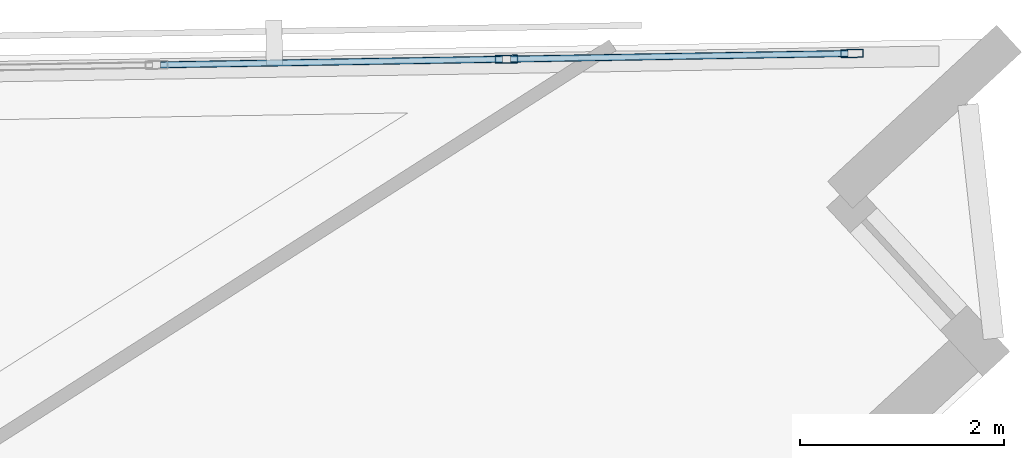
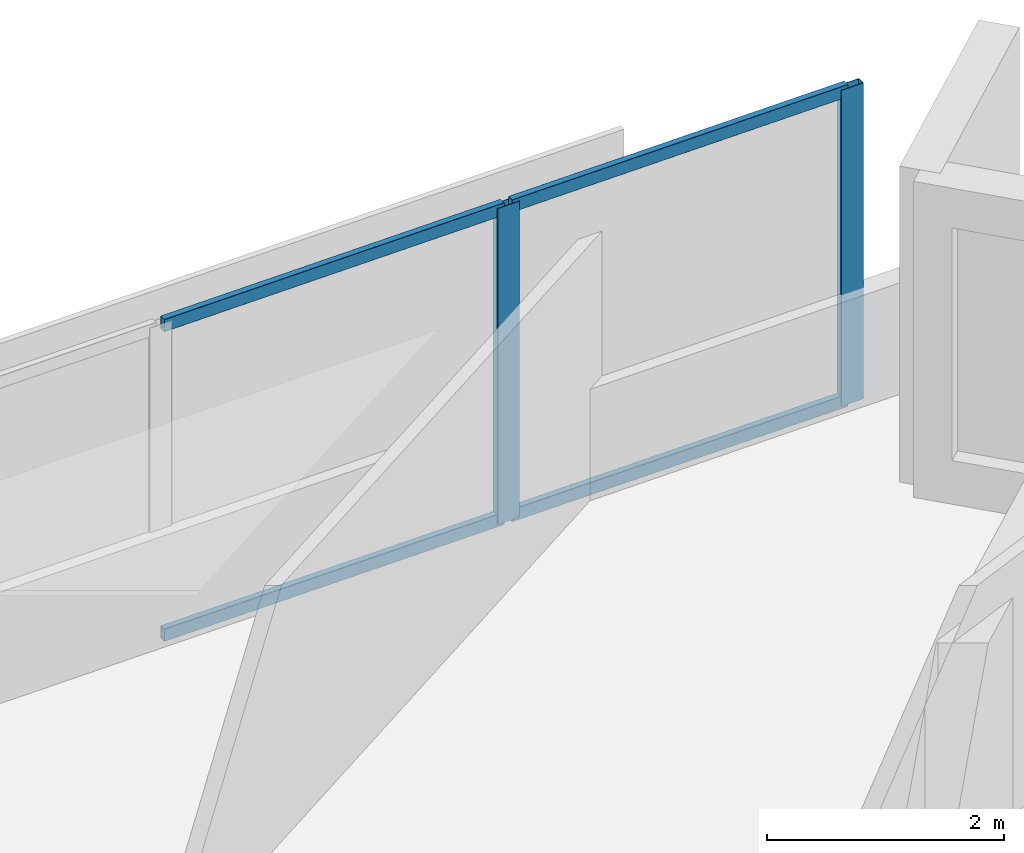
# One storey, part 6 of 13: 6 members, 1 element without a shape of its own.
"""IFC4 building model written with IfcOpenShell, lengths in metres."""

from ifc_helpers import new_model, si_unit, direction, frame, origin, origin_2d, place, context, subcontext, project, spatial, hollow_rectangle, extrude, material, material_profile, profile_set, type_object, element, aggregate, save


model = new_model("IFC4")

# Units and contexts
model_context = context("Model", 3, precision=1e-05, world=origin(), true_north=direction((0.0, 1.0)))
body_context = subcontext(model_context, "Body", "Model", "MODEL_VIEW")
ifc_project = project(units=[si_unit("LENGTHUNIT", "METRE"), si_unit("AREAUNIT", "SQUARE_METRE"), si_unit("VOLUMEUNIT", "CUBIC_METRE"), si_unit("PLANEANGLEUNIT", "RADIAN"), si_unit("MASSUNIT", "GRAM", prefix="KILO")], contexts=[model_context])

# Site, building, storey
site_placement = place(None, origin())
site = spatial("IfcSite", under=ifc_project, at=site_placement, CompositionType="ELEMENT")
building_placement = place(site_placement, origin())
building = spatial("IfcBuilding", under=site, at=building_placement, Name="Narakoshi Arena Tower", CompositionType="ELEMENT")
storey_placement = place(building_placement, frame((0.0, 0.0, 281.860107421875)))
storey = spatial("IfcBuildingStorey", under=building, at=storey_placement, Name="L77", CompositionType="ELEMENT", Elevation=281.860107421875)

# Curtain wall, members
ifc_material = material(Name="Anodised bronze aluminium 6063-T6", Category="aluminium")
curtain_wall_type = type_object("IfcCurtainWallType", Name="CW-HYP-HIGH", PredefinedType="NOTDEFINED", material=ifc_material)
curtain_wall_placement = place(storey_placement, origin())
curtain_wall = element("IfcCurtainWall", 1, at=curtain_wall_placement, inside=storey, type_object=curtain_wall_type, Name="L77 Folded Hypotenuse Curtain Wall 1-1", PredefinedType="NOTDEFINED")
ifc_material_profile_1 = material_profile(ifc_material, hollow_rectangle(XDim=0.080078125, YDim=0.219970703125, WallThickness=0.0048828125, OuterFilletRadius=0.006103515625, at=origin_2d()), Name="MUL220x80x5")
ifc_profile_set_1 = profile_set([ifc_material_profile_1], Name="Anodised bronze aluminium 6063-T6")
member_type_1 = type_object("IfcMemberType", Name="MEM-MUL-220", PredefinedType="MULLION", material=ifc_profile_set_1)
member_1_placement = place(storey_placement, frame((110.4189453125, 64.11767578125, 0.0), z_axis=(0.0, 0.0, 1.0), x_axis=(0.016442997569, -0.999864804777, 0.0)))
member_1 = element("IfcMember", 2, at=member_1_placement, type_object=member_type_1, Name="CW-03 mullion 1", PredefinedType="MULLION", context=body_context, shape_type="SweptSolid", body=[
    extrude(hollow_rectangle(XDim=0.080078125, YDim=0.219970703125, WallThickness=0.0048828125, OuterFilletRadius=0.006103515625, at=origin_2d()), origin(), (0.0, 0.0, 1.0), 3.260009765625),
])
member_2_placement = place(storey_placement, frame((107.031494140625, 64.06201171875, 0.0), z_axis=(0.0, 0.0, 1.0), x_axis=(0.016442997569, -0.999864804777, 0.0)))
member_2 = element("IfcMember", 3, at=member_2_placement, type_object=member_type_1, Name="CW-03 mullion 2", PredefinedType="MULLION", context=body_context, shape_type="SweptSolid", body=[
    extrude(hollow_rectangle(XDim=0.080078125, YDim=0.219970703125, WallThickness=0.0048828125, OuterFilletRadius=0.006103515625, at=origin_2d()), origin(), (0.0, 0.0, 1.0), 3.260009765625),
])
ifc_material_profile_2 = material_profile(ifc_material, hollow_rectangle(XDim=0.06494140625, YDim=0.1298828125, WallThickness=0.00390625, OuterFilletRadius=0.0048828125, at=origin_2d()), Name="TRN130x65x4")
ifc_profile_set_2 = profile_set([ifc_material_profile_2], Name="Anodised bronze aluminium 6063-T6")
member_type_2 = type_object("IfcMemberType", Name="MEM-TRN-130", PredefinedType="USERDEFINED", material=ifc_profile_set_2)
member_3_placement = place(storey_placement, frame((110.37890625, 64.1171875, 0.032470703125), z_axis=(-0.999864541825, -0.016458979318, 0.0), x_axis=(0.016458979318, -0.999864541825, 0.0)))
member_3 = element("IfcMember", 4, at=member_3_placement, type_object=member_type_2, Name="CW-03 transom 1.1", ObjectType="TRANSOM", PredefinedType="USERDEFINED", context=body_context, shape_type="SweptSolid", body=[
    extrude(hollow_rectangle(XDim=0.06494140625, YDim=0.1298828125, WallThickness=0.00390625, OuterFilletRadius=0.0048828125, at=origin_2d()), origin(), (0.0, 0.0, 1.0), 3.307861328125),
])
member_4_placement = place(storey_placement, frame((110.37890625, 64.1171875, 3.227294921875), z_axis=(-0.999864541825, -0.016458979318, 0.0), x_axis=(0.016458979318, -0.999864541825, 0.0)))
member_4 = element("IfcMember", 5, at=member_4_placement, type_object=member_type_2, Name="CW-03 transom 1.2", ObjectType="TRANSOM", PredefinedType="USERDEFINED", context=body_context, shape_type="SweptSolid", body=[
    extrude(hollow_rectangle(XDim=0.06494140625, YDim=0.1298828125, WallThickness=0.00390625, OuterFilletRadius=0.0048828125, at=origin_2d()), origin(), (0.0, 0.0, 1.0), 3.307861328125),
])
member_5_placement = place(storey_placement, frame((106.99169921875, 64.061279296875, 0.032470703125), z_axis=(-0.999865380158, -0.01640797247, 0.0), x_axis=(0.01640797247, -0.999865380158, 0.0)))
member_5 = element("IfcMember", 6, at=member_5_placement, type_object=member_type_2, Name="CW-03 transom 2.1", ObjectType="TRANSOM", PredefinedType="USERDEFINED", context=body_context, shape_type="SweptSolid", body=[
    extrude(hollow_rectangle(XDim=0.06494140625, YDim=0.1298828125, WallThickness=0.00390625, OuterFilletRadius=0.0048828125, at=origin_2d()), origin(), (0.0, 0.0, 1.0), 3.347900390625),
])
member_6_placement = place(storey_placement, frame((106.99169921875, 64.061279296875, 3.227294921875), z_axis=(-0.999865380158, -0.01640797247, 0.0), x_axis=(0.01640797247, -0.999865380158, 0.0)))
member_6 = element("IfcMember", 7, at=member_6_placement, type_object=member_type_2, Name="CW-03 transom 2.2", ObjectType="TRANSOM", PredefinedType="USERDEFINED", context=body_context, shape_type="SweptSolid", body=[
    extrude(hollow_rectangle(XDim=0.06494140625, YDim=0.1298828125, WallThickness=0.00390625, OuterFilletRadius=0.0048828125, at=origin_2d()), origin(), (0.0, 0.0, 1.0), 3.347900390625),
])
aggregate(curtain_wall, [member_1, member_2, member_3, member_4, member_5, member_6])

save(model, "model.ifc")
